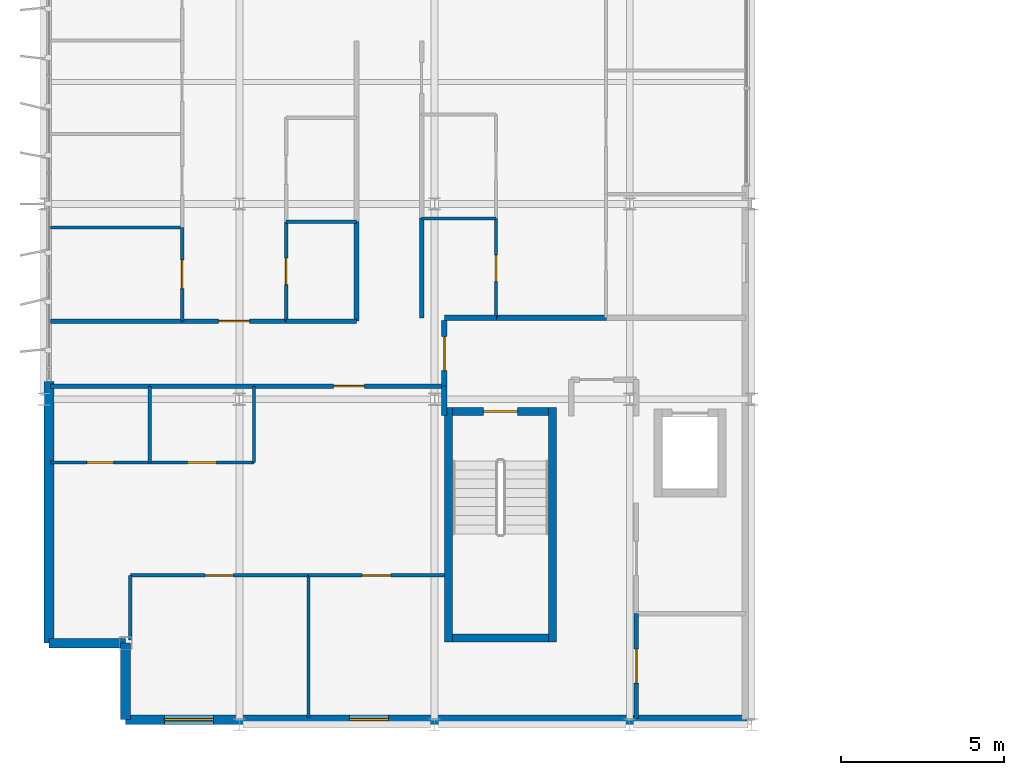
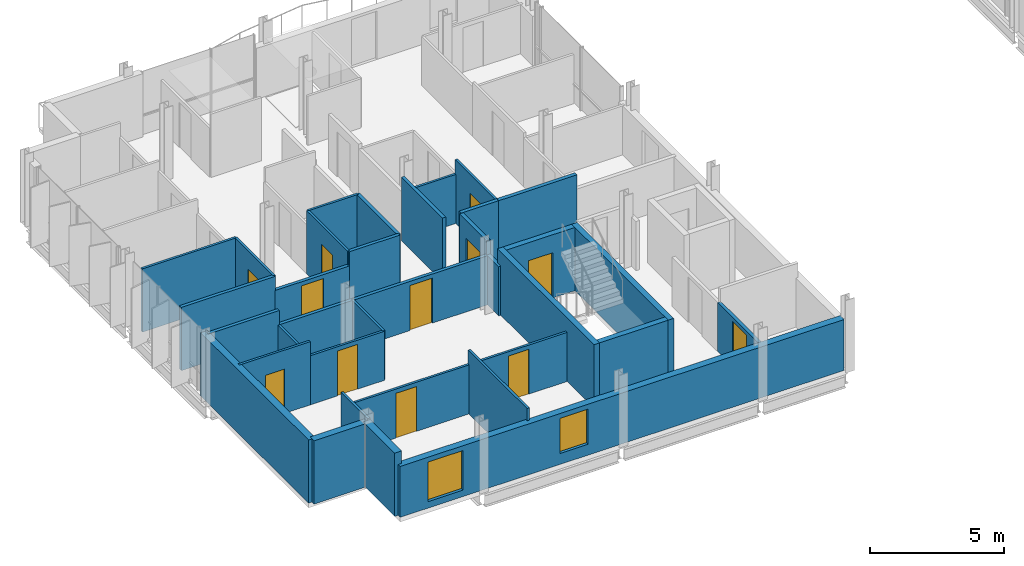
# One storey, part 22 of 30: 35 walls, 12 doors, 2 windows, 14 openings.
"""IFC4 building model written with IfcOpenShell, lengths in metres."""

from ifc_helpers import new_model, si_unit, direction, frame, frame_2d, origin, place, context, subcontext, project, spatial, rectangle, extrude, material, layer, layer_set, type_object, element, fill, save


model = new_model("IFC4")

# Units and contexts
model_context = context("Model", 3, precision=1e-05, world=origin(), true_north=direction((0.0, 1.0)))
body_context = subcontext(model_context, "Body", "Model", "MODEL_VIEW")
ifc_project = project(units=[si_unit("LENGTHUNIT", "METRE"), si_unit("AREAUNIT", "SQUARE_METRE"), si_unit("VOLUMEUNIT", "CUBIC_METRE"), si_unit("PLANEANGLEUNIT", "RADIAN"), si_unit("MASSUNIT", "GRAM", prefix="KILO")], contexts=[model_context])

# Site, building, storey
site_placement = place(None, origin())
site = spatial("IfcSite", under=ifc_project, at=site_placement, CompositionType="ELEMENT")
building_placement = place(site_placement, origin())
building = spatial("IfcBuilding", under=site, at=building_placement, Name="Brevholm Reach", CompositionType="ELEMENT")
storey_placement = place(building_placement, frame((0.0, 0.0, 211.10009765625)))
storey = spatial("IfcBuildingStorey", under=building, at=storey_placement, Name="L64", CompositionType="ELEMENT", Elevation=211.10009765625)

# Walls
ifc_material_1 = material(Name="Concrete C45/55", Category="concrete")
ifc_layer_1 = layer(ifc_material_1, 0.239990234375)
ifc_layer_set_1 = layer_set([ifc_layer_1], Name="Concrete C45/55")
wall_type_1 = type_object("IfcWallType", Name="WAL-COR-240", PredefinedType="SHEAR", material=ifc_layer_set_1)
for number, where, z_axis, x_axis, name in (
    (1, (12.429931640625, 2.5400390625, 0.0), (0.0, 0.0, 1.0), (0.0, 1.0, 0.0), "L64 Escape Stair ST-1 Core Wall W"),
    (2, (15.6201171875, 2.5400390625, 0.0), (0.0, 0.0, 1.0), (0.0, 1.0, 0.0), "L64 Escape Stair ST-1 Core Wall E"),
):
    element("IfcWall", number, at=place(storey_placement, frame(where, z_axis=z_axis, x_axis=x_axis)), inside=storey, type_object=wall_type_1, Name=name, PredefinedType="SHEAR", context=body_context, shape_type="SweptSolid", body=[
        extrude(rectangle(XDim=7.199951171875, YDim=0.239990234375, at=frame_2d((3.60009765625, 0.0))), origin(), (0.0, 0.0, 1.0), 2.8798828125),
    ])
wall_1_placement = place(storey_placement, frame((12.550048828125, 2.659912109375, 0.0), z_axis=(0.0, 0.0, 1.0), x_axis=(1.0, 0.0, 0.0)))
element("IfcWall", 3, at=wall_1_placement, inside=storey, type_object=wall_type_1, Name="L64 Escape Stair ST-1 Core Wall S", PredefinedType="SHEAR", context=body_context, shape_type="SweptSolid", body=[
    extrude(rectangle(XDim=2.949951171875, YDim=0.239990234375, at=frame_2d((1.47509765625, 0.0))), origin(), (0.0, 0.0, 1.0), 2.8798828125),
])

# Wall, opening, door
wall_2_placement = place(storey_placement, frame((15.5, 9.6201171875, 0.0), z_axis=(0.0, 0.0, 1.0), x_axis=(-1.0, 0.0, 0.0)))
wall_2 = element("IfcWall", 4, at=wall_2_placement, inside=storey, type_object=wall_type_1, Name="L64 Escape Stair ST-1 Core Wall N", PredefinedType="SHEAR", context=body_context, shape_type="SweptSolid", body=[
    extrude(rectangle(XDim=2.949951171875, YDim=0.239990234375, at=frame_2d((1.47509765625, 0.0))), origin(), (0.0, 0.0, 1.0), 2.8798828125),
])
opening_1_placement = place(wall_2_placement, frame((0.949951171875, 0.0, 0.0)))
opening_1 = element("IfcOpeningElement", 5, at=opening_1_placement, cuts=wall_2, Name="Opening SD-ST-1", PredefinedType="OPENING", context=body_context, shape_type="SweptSolid", body=[
    extrude(rectangle(XDim=1.050048828125, YDim=2.06005859375, at=frame_2d((0.52490234375, 1.030029296875))), frame((0.0, 0.1298828125, 0.0), z_axis=(0.0, -1.0, 0.0), x_axis=(1.0, 0.0, 0.0)), (0.0, 0.0, 1.0), 0.260009765625),
])
ifc_material_2 = material(Name="Hardwood-Lipped Steel-Core Fire and Smoke Door", Category="steel")
door_type_1 = type_object("IfcDoorType", Name="DOR-INT-FD60S", OperationType="NOTDEFINED", PredefinedType="DOOR", material=ifc_material_2)
door_1_placement = place(opening_1_placement, origin())
door_1 = element("IfcDoor", 6, at=door_1_placement, inside=storey, type_object=door_type_1, Name="L64 Protected Stair ST-1 Lobby Door", OperationType="SINGLE_SWING_RIGHT", OverallHeight=2.06005859375, OverallWidth=1.050048828125, PredefinedType="DOOR", context=body_context, shape_type="SweptSolid", body=[
    extrude(rectangle(XDim=1.050048828125, YDim=2.06005859375, at=frame_2d((0.52490234375, 1.030029296875))), frame((0.0, 0.02490234375, 0.0), z_axis=(0.0, -1.0, 0.0), x_axis=(1.0, 0.0, 0.0)), (0.0, 0.0, 1.0), 0.050048828125),
])
fill(opening_1, door_1)

# Walls
ifc_material_3 = material(Name="Concrete C40/50", Category="concrete")
ifc_layer_2 = layer(ifc_material_3, 0.300048828125)
ifc_layer_set_2 = layer_set([ifc_layer_2], Name="Concrete C40/50")
wall_type_2 = type_object("IfcWallType", Name="WAL-EXT-300", PredefinedType="STANDARD", material=ifc_layer_set_2)
for number, where, z_axis, x_axis, name in (
    (7, (2.5, 2.5, 0.0), (0.0, 0.0, 1.0), (0.0, -1.0, 0.0), "L64 Facade Wall WAL-L64-WW-CSW1"),
    (8, (0.14990234375, 2.5, 0.0), (0.0, 0.0, 1.0), (1.0, 0.0, 0.0), "L64 Facade Wall WAL-L64-WW-CSW2"),
):
    element("IfcWall", number, at=place(storey_placement, frame(where, z_axis=z_axis, x_axis=x_axis)), inside=storey, type_object=wall_type_2, Name=name, PredefinedType="STANDARD", context=body_context, shape_type="SweptSolid", body=[
        extrude(rectangle(XDim=2.35009765625, YDim=0.300048828125, at=frame_2d((1.175048828125, 0.0))), origin(), (0.0, 0.0, 1.0), 2.8798828125),
    ])

# Wall, openings, windows
wall_3_placement = place(storey_placement, frame((2.5, 0.14990234375, 0.0), z_axis=(0.0, 0.0, 1.0), x_axis=(1.0, 0.0, 0.0)))
wall_3 = element("IfcWall", 9, at=wall_3_placement, inside=storey, type_object=wall_type_2, Name="L64 Facade Wall WAL-L64-WW-S", PredefinedType="STANDARD", context=body_context, shape_type="SweptSolid", body=[
    extrude(rectangle(XDim=19.10009765625, YDim=0.300048828125, at=frame_2d((9.550048828125, 0.0))), origin(), (0.0, 0.0, 1.0), 2.3154296875),
])
opening_2_placement = place(wall_3_placement, frame((1.199951171875, 0.0, 0.2958984375)))
opening_2 = element("IfcOpeningElement", 10, at=opening_2_placement, cuts=wall_3, Name="Opening WN-05", PredefinedType="OPENING", context=body_context, shape_type="SweptSolid", body=[
    extrude(rectangle(XDim=1.5, YDim=1.800048828125, at=frame_2d((0.75, 0.89990234375))), frame((0.0, 0.159912109375, 0.0), z_axis=(0.0, -1.0, 0.0), x_axis=(1.0, 0.0, 0.0)), (0.0, 0.0, 1.0), 0.320068359375),
])
opening_3_placement = place(wall_3_placement, frame((6.8837890625, 0.0, 0.49560546875)))
opening_3 = element("IfcOpeningElement", 11, at=opening_3_placement, cuts=wall_3, Name="Opening WN-08", PredefinedType="OPENING", context=body_context, shape_type="SweptSolid", body=[
    extrude(rectangle(XDim=1.199951171875, YDim=1.60009765625, at=frame_2d((0.60009765625, 0.800048828125))), frame((0.0, 0.159912109375, 0.0), z_axis=(0.0, -1.0, 0.0), x_axis=(1.0, 0.0, 0.0)), (0.0, 0.0, 1.0), 0.320068359375),
])
ifc_material_4 = material(Name="Dark Anodised Aluminium and Solar-Control IGU Glass", Category="aluminium")
window_type_1 = type_object("IfcWindowType", Name="WIN-RES-1200", PartitioningType="SINGLE_PANEL", PredefinedType="WINDOW", material=ifc_material_4)
window_1_placement = place(opening_3_placement, origin())
window_1 = element("IfcWindow", 12, at=window_1_placement, inside=storey, type_object=window_type_1, Name="L64 Bedroom Window 066", OverallHeight=1.60009765625, OverallWidth=1.199951171875, PartitioningType="SINGLE_PANEL", PredefinedType="WINDOW", context=body_context, shape_type="SweptSolid", body=[
    extrude(rectangle(XDim=1.199951171875, YDim=1.60009765625, at=frame_2d((0.60009765625, 0.800048828125))), frame((0.0, 0.030029296875, 0.0), z_axis=(0.0, -1.0, 0.0), x_axis=(1.0, 0.0, 0.0)), (0.0, 0.0, 1.0), 0.06005859375),
])
fill(opening_3, window_1)
ifc_material_5 = material(Name="Dark Anodised Aluminium and Solar-Control IGU Glass", Category="aluminium")
window_type_2 = type_object("IfcWindowType", Name="WIN-RES-1500", PartitioningType="SINGLE_PANEL", PredefinedType="WINDOW", material=ifc_material_5)
window_2_placement = place(opening_2_placement, origin())
window_2 = element("IfcWindow", 13, at=window_2_placement, inside=storey, type_object=window_type_2, Name="L64 Window WIN-L64-WWS-1", OverallHeight=1.800048828125, OverallWidth=1.5, PartitioningType="SINGLE_PANEL", PredefinedType="WINDOW", context=body_context, shape_type="SweptSolid", body=[
    extrude(rectangle(XDim=1.5, YDim=1.800048828125, at=frame_2d((0.75, 0.89990234375))), frame((0.0, 0.030029296875, 0.0), z_axis=(0.0, -1.0, 0.0), x_axis=(1.0, 0.0, 0.0)), (0.0, 0.0, 1.0), 0.06005859375),
])
fill(opening_2, window_2)

# Walls
wall_4_placement = place(storey_placement, frame((0.14990234375, 10.550048828125, 0.0), z_axis=(0.0, 0.0, 1.0), x_axis=(0.0, -1.0, 0.0)))
element("IfcWall", 14, at=wall_4_placement, inside=storey, type_object=wall_type_2, Name="L64 Facade Wall WAL-L64-WW-WS", PredefinedType="STANDARD", context=body_context, shape_type="SweptSolid", body=[
    extrude(rectangle(XDim=8.050048828125, YDim=0.300048828125, at=frame_2d((4.02490234375, 0.0))), origin(), (0.0, 0.0, 1.0), 2.8798828125),
])
ifc_material_6 = material(Name="Moisture-Resistant Acoustic Gypsum Stud Partition 100 mm", Category="gypsum")
ifc_layer_3 = layer(ifc_material_6, 0.10009765625)
ifc_layer_set_3 = layer_set([ifc_layer_3], Name="Moisture-Resistant Acoustic Gypsum Stud Partition 100 mm")
wall_type_3 = type_object("IfcWallType", Name="WAL-PRT-100", PredefinedType="PARTITIONING", material=ifc_layer_set_3)
wall_5_placement = place(storey_placement, frame((3.25, 8.053955078125, 0.0), z_axis=(0.0, 0.0, 1.0), x_axis=(0.0, 1.0, 0.0)))
element("IfcWall", 15, at=wall_5_placement, inside=storey, type_object=wall_type_3, Name="L64 Internal Partition 039", PredefinedType="PARTITIONING", context=body_context, shape_type="SweptSolid", body=[
    extrude(rectangle(XDim=2.342041015625, YDim=0.10009765625, at=frame_2d((1.1708984375, 0.0))), origin(), (0.0, 0.0, 1.0), 2.234619140625),
])

# Wall, opening, door
wall_6_placement = place(storey_placement, frame((0.199951171875, 8.053955078125, 0.0), z_axis=(0.0, 0.0, 1.0), x_axis=(1.0, 0.0, 0.0)))
wall_6 = element("IfcWall", 16, at=wall_6_placement, inside=storey, type_object=wall_type_3, Name="L64 Internal Partition 040", PredefinedType="PARTITIONING", context=body_context, shape_type="SweptSolid", body=[
    extrude(rectangle(XDim=3.050048828125, YDim=0.10009765625, at=frame_2d((1.52490234375, 0.0))), origin(), (0.0, 0.0, 1.0), 2.8798828125),
])
opening_4_placement = place(wall_6_placement, frame((1.114990234375, 0.0, 0.0)))
opening_4 = element("IfcOpeningElement", 17, at=opening_4_placement, cuts=wall_6, Name="Opening ID-03", PredefinedType="OPENING", context=body_context, shape_type="SweptSolid", body=[
    extrude(rectangle(XDim=0.820068359375, YDim=2.02001953125, at=frame_2d((0.41015625, 1.010009765625))), frame((0.0, 0.06005859375, 0.0), z_axis=(0.0, -1.0, 0.0), x_axis=(1.0, 0.0, 0.0)), (0.0, 0.0, 1.0), 0.1201171875),
])
ifc_material_7 = material(Name="Moisture-Resistant Painted Timber Internal Bathroom Door", Category="wood")
door_type_2 = type_object("IfcDoorType", Name="DOR-BATH-820", OperationType="NOTDEFINED", PredefinedType="DOOR", material=ifc_material_7)
door_2_placement = place(opening_4_placement, origin())
door_2 = element("IfcDoor", 18, at=door_2_placement, inside=storey, type_object=door_type_2, Name="L64 Internal Door 016", OperationType="SINGLE_SWING_LEFT", OverallHeight=2.02001953125, OverallWidth=0.820068359375, PredefinedType="DOOR", context=body_context, shape_type="SweptSolid", body=[
    extrude(rectangle(XDim=0.820068359375, YDim=2.02001953125, at=frame_2d((0.41015625, 1.010009765625))), frame((0.0, 0.02490234375, 0.0), z_axis=(0.0, -1.0, 0.0), x_axis=(1.0, 0.0, 0.0)), (0.0, 0.0, 1.0), 0.050048828125),
])
fill(opening_4, door_2)

wall_7_placement = place(storey_placement, frame((3.25390625, 8.053955078125, 0.0), z_axis=(0.0, 0.0, 1.0), x_axis=(1.0, 0.0, 0.0)))
wall_7 = element("IfcWall", 19, at=wall_7_placement, inside=storey, type_object=wall_type_3, Name="L64 Internal Partition 041", PredefinedType="PARTITIONING", context=body_context, shape_type="SweptSolid", body=[
    extrude(rectangle(XDim=3.196044921875, YDim=0.10009765625, at=frame_2d((1.59814453125, 0.0))), origin(), (0.0, 0.0, 1.0), 2.234619140625),
])
opening_5_placement = place(wall_7_placement, frame((1.157958984375, 0.0, 0.0)))
opening_5 = element("IfcOpeningElement", 20, at=opening_5_placement, cuts=wall_7, Name="Opening ID-01", PredefinedType="OPENING", context=body_context, shape_type="SweptSolid", body=[
    extrude(rectangle(XDim=0.8798828125, YDim=2.0400390625, at=frame_2d((0.43994140625, 1.02001953125))), frame((0.0, 0.06005859375, 0.0), z_axis=(0.0, -1.0, 0.0), x_axis=(1.0, 0.0, 0.0)), (0.0, 0.0, 1.0), 0.1201171875),
])
ifc_material_8 = material(Name="Lacquered Ash Solid-Core Acoustic Internal Door", Category="timber")
door_type_3 = type_object("IfcDoorType", Name="DOR-INT-880", OperationType="NOTDEFINED", PredefinedType="DOOR", material=ifc_material_8)
door_3_placement = place(opening_5_placement, origin())
door_3 = element("IfcDoor", 21, at=door_3_placement, inside=storey, type_object=door_type_3, Name="L64 Internal Door 017", OperationType="SINGLE_SWING_RIGHT", OverallHeight=2.0400390625, OverallWidth=0.8798828125, PredefinedType="DOOR", context=body_context, shape_type="SweptSolid", body=[
    extrude(rectangle(XDim=0.8798828125, YDim=2.0400390625, at=frame_2d((0.43994140625, 1.02001953125))), frame((0.0, 0.02490234375, 0.0), z_axis=(0.0, -1.0, 0.0), x_axis=(1.0, 0.0, 0.0)), (0.0, 0.0, 1.0), 0.050048828125),
])
fill(opening_5, door_3)

# Walls
wall_8_placement = place(storey_placement, frame((6.449951171875, 8.053955078125, 0.0), z_axis=(0.0, 0.0, 1.0), x_axis=(0.0, 1.0, 0.0)))
element("IfcWall", 22, at=wall_8_placement, inside=storey, type_object=wall_type_3, Name="L64 Internal Partition 042", PredefinedType="PARTITIONING", context=body_context, shape_type="SweptSolid", body=[
    extrude(rectangle(XDim=2.342041015625, YDim=0.10009765625, at=frame_2d((1.1708984375, 0.0))), origin(), (0.0, 0.0, 1.0), 2.234619140625),
])
wall_9_placement = place(storey_placement, frame((8.125, 0.199951171875, 0.0), z_axis=(0.0, 0.0, 1.0), x_axis=(0.0, 1.0, 0.0)))
element("IfcWall", 23, at=wall_9_placement, inside=storey, type_object=wall_type_3, Name="L64 Internal Partition 043", PredefinedType="PARTITIONING", context=body_context, shape_type="SweptSolid", body=[
    extrude(rectangle(XDim=4.385986328125, YDim=0.10009765625, at=frame_2d((2.19287109375, 0.0))), origin(), (0.0, 0.0, 1.0), 2.8798828125),
])
wall_10_placement = place(storey_placement, frame((2.64990234375, 2.599365234375, 0.0), z_axis=(0.0, 0.0, 1.0), x_axis=(0.0, 1.0, 0.0)))
element("IfcWall", 24, at=wall_10_placement, inside=storey, type_object=wall_type_3, Name="L64 Internal Partition 044", PredefinedType="PARTITIONING", context=body_context, shape_type="SweptSolid", body=[
    extrude(rectangle(XDim=1.986572265625, YDim=0.10009765625, at=frame_2d((0.9931640625, 0.0))), origin(), (0.0, 0.0, 1.0), 2.8798828125),
])

# Wall, opening, door
wall_11_placement = place(storey_placement, frame((2.64990234375, 4.5859375, 0.0), z_axis=(0.0, 0.0, 1.0), x_axis=(1.0, 0.0, 0.0)))
wall_11 = element("IfcWall", 25, at=wall_11_placement, inside=storey, type_object=wall_type_3, Name="L64 Internal Partition 045", PredefinedType="PARTITIONING", context=body_context, shape_type="SweptSolid", body=[
    extrude(rectangle(XDim=5.47509765625, YDim=0.10009765625, at=frame_2d((2.737548828125, 0.0))), origin(), (0.0, 0.0, 1.0), 2.234619140625),
])
opening_6_placement = place(wall_11_placement, frame((2.297607421875, 0.0, 0.0)))
opening_6 = element("IfcOpeningElement", 26, at=opening_6_placement, cuts=wall_11, Name="Opening ID-01", PredefinedType="OPENING", context=body_context, shape_type="SweptSolid", body=[
    extrude(rectangle(XDim=0.8798828125, YDim=2.0400390625, at=frame_2d((0.43994140625, 1.02001953125))), frame((0.0, 0.06005859375, 0.0), z_axis=(0.0, -1.0, 0.0), x_axis=(1.0, 0.0, 0.0)), (0.0, 0.0, 1.0), 0.1201171875),
])
door_4_placement = place(opening_6_placement, origin())
door_4 = element("IfcDoor", 27, at=door_4_placement, inside=storey, type_object=door_type_3, Name="L64 Internal Door 018", OperationType="SINGLE_SWING_LEFT", OverallHeight=2.0400390625, OverallWidth=0.8798828125, PredefinedType="DOOR", context=body_context, shape_type="SweptSolid", body=[
    extrude(rectangle(XDim=0.8798828125, YDim=2.0400390625, at=frame_2d((0.43994140625, 1.02001953125))), frame((0.0, 0.02490234375, 0.0), z_axis=(0.0, -1.0, 0.0), x_axis=(1.0, 0.0, 0.0)), (0.0, 0.0, 1.0), 0.050048828125),
])
fill(opening_6, door_4)

wall_12_placement = place(storey_placement, frame((8.12890625, 4.5859375, 0.0), z_axis=(0.0, 0.0, 1.0), x_axis=(1.0, 0.0, 0.0)))
wall_12 = element("IfcWall", 28, at=wall_12_placement, inside=storey, type_object=wall_type_3, Name="L64 Internal Partition 046", PredefinedType="PARTITIONING", context=body_context, shape_type="SweptSolid", body=[
    extrude(rectangle(XDim=4.171142578125, YDim=0.10009765625, at=frame_2d((2.08544921875, 0.0))), origin(), (0.0, 0.0, 1.0), 2.234619140625),
])
opening_7_placement = place(wall_12_placement, frame((1.6455078125, 0.0, 0.0)))
opening_7 = element("IfcOpeningElement", 29, at=opening_7_placement, cuts=wall_12, Name="Opening ID-01", PredefinedType="OPENING", context=body_context, shape_type="SweptSolid", body=[
    extrude(rectangle(XDim=0.8798828125, YDim=2.0400390625, at=frame_2d((0.43994140625, 1.02001953125))), frame((0.0, 0.06005859375, 0.0), z_axis=(0.0, -1.0, 0.0), x_axis=(1.0, 0.0, 0.0)), (0.0, 0.0, 1.0), 0.1201171875),
])
door_5_placement = place(opening_7_placement, origin())
door_5 = element("IfcDoor", 30, at=door_5_placement, inside=storey, type_object=door_type_3, Name="L64 Internal Door 019", OperationType="SINGLE_SWING_RIGHT", OverallHeight=2.0400390625, OverallWidth=0.8798828125, PredefinedType="DOOR", context=body_context, shape_type="SweptSolid", body=[
    extrude(rectangle(XDim=0.8798828125, YDim=2.0400390625, at=frame_2d((0.43994140625, 1.02001953125))), frame((0.0, 0.02490234375, 0.0), z_axis=(0.0, -1.0, 0.0), x_axis=(1.0, 0.0, 0.0)), (0.0, 0.0, 1.0), 0.050048828125),
])
fill(opening_7, door_5)

# Wall
wall_13_placement = place(storey_placement, frame((7.43798828125, 15.449951171875, 0.0), z_axis=(0.0, 0.0, 1.0), x_axis=(1.0, 0.0, 0.0)))
element("IfcWall", 31, at=wall_13_placement, inside=storey, type_object=wall_type_3, Name="L64 Internal Partition 047", PredefinedType="PARTITIONING", context=body_context, shape_type="SweptSolid", body=[
    extrude(rectangle(XDim=2.157958984375, YDim=0.10009765625, at=frame_2d((1.0791015625, 0.0))), origin(), (0.0, 0.0, 1.0), 2.8798828125),
])

# Wall, opening, door
wall_14_placement = place(storey_placement, frame((7.43798828125, 12.404052734375, 0.0), z_axis=(0.0, 0.0, 1.0), x_axis=(0.0, 1.0, 0.0)))
wall_14 = element("IfcWall", 32, at=wall_14_placement, inside=storey, type_object=wall_type_3, Name="L64 Internal Partition 048", PredefinedType="PARTITIONING", context=body_context, shape_type="SweptSolid", body=[
    extrude(rectangle(XDim=3.0458984375, YDim=0.10009765625, at=frame_2d((1.52294921875, 0.0))), origin(), (0.0, 0.0, 1.0), 2.8798828125),
])
opening_8_placement = place(wall_14_placement, frame((1.113037109375, 0.0, 0.0)))
opening_8 = element("IfcOpeningElement", 33, at=opening_8_placement, cuts=wall_14, Name="Opening ID-03", PredefinedType="OPENING", context=body_context, shape_type="SweptSolid", body=[
    extrude(rectangle(XDim=0.820068359375, YDim=2.02001953125, at=frame_2d((0.41015625, 1.010009765625))), frame((0.0, 0.06005859375, 0.0), z_axis=(0.0, -1.0, 0.0), x_axis=(1.0, 0.0, 0.0)), (0.0, 0.0, 1.0), 0.1201171875),
])
door_6_placement = place(opening_8_placement, origin())
door_6 = element("IfcDoor", 34, at=door_6_placement, inside=storey, type_object=door_type_2, Name="L64 Internal Door 020", OperationType="SINGLE_SWING_LEFT", OverallHeight=2.02001953125, OverallWidth=0.820068359375, PredefinedType="DOOR", context=body_context, shape_type="SweptSolid", body=[
    extrude(rectangle(XDim=0.820068359375, YDim=2.02001953125, at=frame_2d((0.41015625, 1.010009765625))), frame((0.0, 0.02490234375, 0.0), z_axis=(0.0, -1.0, 0.0), x_axis=(1.0, 0.0, 0.0)), (0.0, 0.0, 1.0), 0.050048828125),
])
fill(opening_8, door_6)

# Wall
wall_15_placement = place(storey_placement, frame((0.199951171875, 15.27490234375, 0.0), z_axis=(0.0, 0.0, 1.0), x_axis=(1.0, 0.0, 0.0)))
element("IfcWall", 35, at=wall_15_placement, inside=storey, type_object=wall_type_3, Name="L64 Internal Partition 053", PredefinedType="PARTITIONING", context=body_context, shape_type="SweptSolid", body=[
    extrude(rectangle(XDim=4.0419921875, YDim=0.10009765625, at=frame_2d((2.02099609375, 0.0))), origin(), (0.0, 0.0, 1.0), 2.8798828125),
])

# Wall, opening, door
wall_16_placement = place(storey_placement, frame((4.241943359375, 12.404052734375, 0.0), z_axis=(0.0, 0.0, 1.0), x_axis=(0.0, 1.0, 0.0)))
wall_16 = element("IfcWall", 36, at=wall_16_placement, inside=storey, type_object=wall_type_3, Name="L64 Internal Partition 054", PredefinedType="PARTITIONING", context=body_context, shape_type="SweptSolid", body=[
    extrude(rectangle(XDim=2.870849609375, YDim=0.10009765625, at=frame_2d((1.435546875, 0.0))), origin(), (0.0, 0.0, 1.0), 2.8798828125),
])
opening_9_placement = place(wall_16_placement, frame((0.99560546875, 0.0, 0.0)))
opening_9 = element("IfcOpeningElement", 37, at=opening_9_placement, cuts=wall_16, Name="Opening ID-01", PredefinedType="OPENING", context=body_context, shape_type="SweptSolid", body=[
    extrude(rectangle(XDim=0.8798828125, YDim=2.0400390625, at=frame_2d((0.43994140625, 1.02001953125))), frame((0.0, 0.06005859375, 0.0), z_axis=(0.0, -1.0, 0.0), x_axis=(1.0, 0.0, 0.0)), (0.0, 0.0, 1.0), 0.1201171875),
])
door_7_placement = place(opening_9_placement, origin())
door_7 = element("IfcDoor", 38, at=door_7_placement, inside=storey, type_object=door_type_3, Name="L64 Internal Door 023", OperationType="SINGLE_SWING_RIGHT", OverallHeight=2.0400390625, OverallWidth=0.8798828125, PredefinedType="DOOR", context=body_context, shape_type="SweptSolid", body=[
    extrude(rectangle(XDim=0.8798828125, YDim=2.0400390625, at=frame_2d((0.43994140625, 1.02001953125))), frame((0.0, 0.02490234375, 0.0), z_axis=(0.0, -1.0, 0.0), x_axis=(1.0, 0.0, 0.0)), (0.0, 0.0, 1.0), 0.050048828125),
])
fill(opening_9, door_7)

# Wall
wall_17_placement = place(storey_placement, frame((11.60400390625, 15.550048828125, 0.0), z_axis=(0.0, 0.0, 1.0), x_axis=(1.0, 0.0, 0.0)))
element("IfcWall", 39, at=wall_17_placement, inside=storey, type_object=wall_type_3, Name="L64 Internal Partition 061", PredefinedType="PARTITIONING", context=body_context, shape_type="SweptSolid", body=[
    extrude(rectangle(XDim=2.284912109375, YDim=0.10009765625, at=frame_2d((1.142578125, 0.0))), origin(), (0.0, 0.0, 1.0), 2.234619140625),
])

# Wall, opening, door
wall_18_placement = place(storey_placement, frame((13.888916015625, 12.50390625, 0.0), z_axis=(0.0, 0.0, 1.0), x_axis=(0.0, 1.0, 0.0)))
wall_18 = element("IfcWall", 40, at=wall_18_placement, inside=storey, type_object=wall_type_3, Name="L64 Internal Partition 062", PredefinedType="PARTITIONING", context=body_context, shape_type="SweptSolid", body=[
    extrude(rectangle(XDim=3.046142578125, YDim=0.10009765625, at=frame_2d((1.52294921875, 0.0))), origin(), (0.0, 0.0, 1.0), 2.8798828125),
])
opening_10_placement = place(wall_18_placement, frame((1.113037109375, 0.0, 0.0)))
opening_10 = element("IfcOpeningElement", 41, at=opening_10_placement, cuts=wall_18, Name="Opening ID-03", PredefinedType="OPENING", context=body_context, shape_type="SweptSolid", body=[
    extrude(rectangle(XDim=0.820068359375, YDim=2.02001953125, at=frame_2d((0.41015625, 1.010009765625))), frame((0.0, 0.06005859375, 0.0), z_axis=(0.0, -1.0, 0.0), x_axis=(1.0, 0.0, 0.0)), (0.0, 0.0, 1.0), 0.1201171875),
])
door_8_placement = place(opening_10_placement, origin())
door_8 = element("IfcDoor", 42, at=door_8_placement, inside=storey, type_object=door_type_2, Name="L64 Internal Door 027", OperationType="SINGLE_SWING_RIGHT", OverallHeight=2.02001953125, OverallWidth=0.820068359375, PredefinedType="DOOR", context=body_context, shape_type="SweptSolid", body=[
    extrude(rectangle(XDim=0.820068359375, YDim=2.02001953125, at=frame_2d((0.41015625, 1.010009765625))), frame((0.0, 0.02490234375, 0.0), z_axis=(0.0, -1.0, 0.0), x_axis=(1.0, 0.0, 0.0)), (0.0, 0.0, 1.0), 0.050048828125),
])
fill(opening_10, door_8)

ifc_material_9 = material(Name="Twin-Stud Acoustic Fire-Rated Gypsum Partition 140 mm", Category="gypsum")
ifc_layer_4 = layer(ifc_material_9, 0.139892578125)
ifc_layer_set_4 = layer_set([ifc_layer_4], Name="Twin-Stud Acoustic Fire-Rated Gypsum Partition 140 mm")
wall_type_4 = type_object("IfcWallType", Name="WAL-PRT-140", PredefinedType="PARTITIONING", material=ifc_layer_set_4)
wall_19_placement = place(storey_placement, frame((18.199951171875, 0.179931640625, 0.0), z_axis=(0.0, 0.0, 1.0), x_axis=(0.0, 1.0, 0.0)))
wall_19 = element("IfcWall", 43, at=wall_19_placement, inside=storey, type_object=wall_type_4, Name="L64 Internal Partition 001", PredefinedType="PARTITIONING", context=body_context, shape_type="SweptSolid", body=[
    extrude(rectangle(XDim=3.2314453125, YDim=0.139892578125, at=frame_2d((1.61572265625, 0.0))), origin(), (0.0, 0.0, 1.0), 2.234619140625),
])
opening_11_placement = place(wall_19_placement, frame((1.0908203125, 0.0, 0.0)))
opening_11 = element("IfcOpeningElement", 44, at=opening_11_placement, cuts=wall_19, Name="Opening FD-01", PredefinedType="OPENING", context=body_context, shape_type="SweptSolid", body=[
    extrude(rectangle(XDim=1.050048828125, YDim=2.06005859375, at=frame_2d((0.52490234375, 1.030029296875))), frame((0.0, 0.079833984375, 0.0), z_axis=(0.0, -1.0, 0.0), x_axis=(1.0, 0.0, 0.0)), (0.0, 0.0, 1.0), 0.159912109375),
])
door_9_placement = place(opening_11_placement, origin())
door_9 = element("IfcDoor", 45, at=door_9_placement, inside=storey, type_object=door_type_1, Name="L64 Internal Door 001", OperationType="SINGLE_SWING_RIGHT", OverallHeight=2.06005859375, OverallWidth=1.050048828125, PredefinedType="DOOR", context=body_context, shape_type="SweptSolid", body=[
    extrude(rectangle(XDim=1.050048828125, YDim=2.06005859375, at=frame_2d((0.52490234375, 1.030029296875))), frame((0.0, 0.02490234375, 0.0), z_axis=(0.0, -1.0, 0.0), x_axis=(1.0, 0.0, 0.0)), (0.0, 0.0, 1.0), 0.050048828125),
])
fill(opening_11, door_9)

# Walls
wall_20_placement = place(storey_placement, frame((0.199951171875, 10.39990234375, 0.0), z_axis=(0.0, 0.0, 1.0), x_axis=(1.0, 0.0, 0.0)))
element("IfcWall", 46, at=wall_20_placement, inside=storey, type_object=wall_type_4, Name="L64 Internal Partition 018", PredefinedType="PARTITIONING", context=body_context, shape_type="SweptSolid", body=[
    extrude(rectangle(XDim=3.061279296875, YDim=0.139892578125, at=frame_2d((1.53076171875, 0.0))), origin(), (0.0, 0.0, 1.0), 2.8798828125),
])
wall_21_placement = place(storey_placement, frame((3.24267578125, 10.39990234375, 0.0), z_axis=(0.0, 0.0, 1.0), x_axis=(1.0, 0.0, 0.0)))
element("IfcWall", 47, at=wall_21_placement, inside=storey, type_object=wall_type_4, Name="L64 Internal Partition 019", PredefinedType="PARTITIONING", context=body_context, shape_type="SweptSolid", body=[
    extrude(rectangle(XDim=3.218505859375, YDim=0.139892578125, at=frame_2d((1.609375, 0.0))), origin(), (0.0, 0.0, 1.0), 2.234619140625),
])

# Wall, opening, door
wall_22_placement = place(storey_placement, frame((6.442626953125, 10.39990234375, 0.0), z_axis=(0.0, 0.0, 1.0), x_axis=(1.0, 0.0, 0.0)))
wall_22 = element("IfcWall", 48, at=wall_22_placement, inside=storey, type_object=wall_type_4, Name="L64 Internal Partition 020", PredefinedType="PARTITIONING", context=body_context, shape_type="SweptSolid", body=[
    extrude(rectangle(XDim=5.853271484375, YDim=0.139892578125, at=frame_2d((2.9267578125, 0.0))), origin(), (0.0, 0.0, 1.0), 2.234619140625),
])
opening_12_placement = place(wall_22_placement, frame((2.45166015625, 0.0, 0.0)))
opening_12 = element("IfcOpeningElement", 49, at=opening_12_placement, cuts=wall_22, Name="Opening ID-30", PredefinedType="OPENING", context=body_context, shape_type="SweptSolid", body=[
    extrude(rectangle(XDim=0.949951171875, YDim=2.050048828125, at=frame_2d((0.47509765625, 1.02490234375))), frame((0.0, 0.079833984375, 0.0), z_axis=(0.0, -1.0, 0.0), x_axis=(1.0, 0.0, 0.0)), (0.0, 0.0, 1.0), 0.159912109375),
])
ifc_material_10 = material(Name="European Oak Veneered Solid-Core Fire Entrance Door", Category="timber")
door_type_4 = type_object("IfcDoorType", Name="DOR-FLT-FD30S", OperationType="NOTDEFINED", PredefinedType="DOOR", material=ifc_material_10)
door_10_placement = place(opening_12_placement, origin())
door_10 = element("IfcDoor", 50, at=door_10_placement, inside=storey, type_object=door_type_4, Name="L64 Internal Door 009", OperationType="SINGLE_SWING_RIGHT", OverallHeight=2.050048828125, OverallWidth=0.949951171875, PredefinedType="DOOR", context=body_context, shape_type="SweptSolid", body=[
    extrude(rectangle(XDim=0.949951171875, YDim=2.050048828125, at=frame_2d((0.47509765625, 1.02490234375))), frame((0.0, 0.02490234375, 0.0), z_axis=(0.0, -1.0, 0.0), x_axis=(1.0, 0.0, 0.0)), (0.0, 0.0, 1.0), 0.050048828125),
])
fill(opening_12, door_10)

# Walls
wall_23_placement = place(storey_placement, frame((7.4267578125, 12.39990234375, 0.0), z_axis=(0.0, 0.0, 1.0), x_axis=(1.0, 0.0, 0.0)))
element("IfcWall", 51, at=wall_23_placement, inside=storey, type_object=wall_type_4, Name="L64 Internal Partition 021", PredefinedType="PARTITIONING", context=body_context, shape_type="SweptSolid", body=[
    extrude(rectangle(XDim=2.1806640625, YDim=0.139892578125, at=frame_2d((1.09033203125, 0.0))), origin(), (0.0, 0.0, 1.0), 2.8798828125),
])
wall_24_placement = place(storey_placement, frame((0.199951171875, 12.39990234375, 0.0), z_axis=(0.0, 0.0, 1.0), x_axis=(1.0, 0.0, 0.0)))
element("IfcWall", 52, at=wall_24_placement, inside=storey, type_object=wall_type_4, Name="L64 Internal Partition 022", PredefinedType="PARTITIONING", context=body_context, shape_type="SweptSolid", body=[
    extrude(rectangle(XDim=4.053466796875, YDim=0.139892578125, at=frame_2d((2.02685546875, 0.0))), origin(), (0.0, 0.0, 1.0), 2.8798828125),
])

# Wall, opening, door
wall_25_placement = place(storey_placement, frame((4.234619140625, 12.39990234375, 0.0), z_axis=(0.0, 0.0, 1.0), x_axis=(1.0, 0.0, 0.0)))
wall_25 = element("IfcWall", 53, at=wall_25_placement, inside=storey, type_object=wall_type_4, Name="L64 Internal Partition 023", PredefinedType="PARTITIONING", context=body_context, shape_type="SweptSolid", body=[
    extrude(rectangle(XDim=3.210693359375, YDim=0.139892578125, at=frame_2d((1.60546875, 0.0))), origin(), (0.0, 0.0, 1.0), 2.234619140625),
])
opening_13_placement = place(wall_25_placement, frame((1.13037109375, 0.0, 0.0)))
opening_13 = element("IfcOpeningElement", 54, at=opening_13_placement, cuts=wall_25, Name="Opening ID-30", PredefinedType="OPENING", context=body_context, shape_type="SweptSolid", body=[
    extrude(rectangle(XDim=0.949951171875, YDim=2.050048828125, at=frame_2d((0.47509765625, 1.02490234375))), frame((0.0, 0.079833984375, 0.0), z_axis=(0.0, -1.0, 0.0), x_axis=(1.0, 0.0, 0.0)), (0.0, 0.0, 1.0), 0.159912109375),
])
door_11_placement = place(opening_13_placement, origin())
door_11 = element("IfcDoor", 55, at=door_11_placement, inside=storey, type_object=door_type_4, Name="L64 Internal Door 010", OperationType="SINGLE_SWING_LEFT", OverallHeight=2.050048828125, OverallWidth=0.949951171875, PredefinedType="DOOR", context=body_context, shape_type="SweptSolid", body=[
    extrude(rectangle(XDim=0.949951171875, YDim=2.050048828125, at=frame_2d((0.47509765625, 1.02490234375))), frame((0.0, 0.02490234375, 0.0), z_axis=(0.0, -1.0, 0.0), x_axis=(1.0, 0.0, 0.0)), (0.0, 0.0, 1.0), 0.050048828125),
])
fill(opening_13, door_11)

# Walls
wall_26_placement = place(storey_placement, frame((9.60009765625, 12.404052734375, 0.0), z_axis=(0.0, 0.0, 1.0), x_axis=(0.0, 1.0, 0.0)))
element("IfcWall", 56, at=wall_26_placement, inside=storey, type_object=wall_type_4, Name="L64 Internal Partition 024", PredefinedType="PARTITIONING", context=body_context, shape_type="SweptSolid", body=[
    extrude(rectangle(XDim=3.05712890625, YDim=0.139892578125, at=frame_2d((1.528564453125, 0.0))), origin(), (0.0, 0.0, 1.0), 2.8798828125),
])
wall_27_placement = place(storey_placement, frame((11.60009765625, 12.48876953125, 0.0), z_axis=(0.0, 0.0, 1.0), x_axis=(0.0, 1.0, 0.0)))
element("IfcWall", 57, at=wall_27_placement, inside=storey, type_object=wall_type_4, Name="L64 Internal Partition 027", PredefinedType="PARTITIONING", context=body_context, shape_type="SweptSolid", body=[
    extrude(rectangle(XDim=3.072509765625, YDim=0.139892578125, at=frame_2d((1.5361328125, 0.0))), origin(), (0.0, 0.0, 1.0), 2.8798828125),
])

# Wall, opening, door
ifc_material_11 = material(Name="Twin-Frame Fire-Rated Gypsum Board and Mineral Wool 160 mm", Category="gypsum")
ifc_layer_5 = layer(ifc_material_11, 0.159912109375)
ifc_layer_set_5 = layer_set([ifc_layer_5], Name="Twin-Frame Fire-Rated Gypsum Board and Mineral Wool 160 mm")
wall_type_5 = type_object("IfcWallType", Name="WAL-PRT-160", PredefinedType="PARTITIONING", material=ifc_layer_set_5)
wall_28_placement = place(storey_placement, frame((12.300048828125, 10.388671875, 0.0), z_axis=(0.0, 0.0, 1.0), x_axis=(0.0, 1.0, 0.0)))
wall_28 = element("IfcWall", 58, at=wall_28_placement, inside=storey, type_object=wall_type_5, Name="L64 Internal Partition 013", PredefinedType="PARTITIONING", context=body_context, shape_type="SweptSolid", body=[
    extrude(rectangle(XDim=2.022705078125, YDim=0.159912109375, at=frame_2d((1.01123046875, 0.0))), origin(), (0.0, 0.0, 1.0), 2.8798828125),
])
opening_14_placement = place(wall_28_placement, frame((0.486328125, 0.0, 0.0)))
opening_14 = element("IfcOpeningElement", 59, at=opening_14_placement, cuts=wall_28, Name="Opening FD-01", PredefinedType="OPENING", context=body_context, shape_type="SweptSolid", body=[
    extrude(rectangle(XDim=1.050048828125, YDim=2.06005859375, at=frame_2d((0.52490234375, 1.030029296875))), frame((0.0, 0.08984375, 0.0), z_axis=(0.0, -1.0, 0.0), x_axis=(1.0, 0.0, 0.0)), (0.0, 0.0, 1.0), 0.179931640625),
])
door_12_placement = place(opening_14_placement, origin())
door_12 = element("IfcDoor", 60, at=door_12_placement, inside=storey, type_object=door_type_1, Name="L64 Internal Door 008", OperationType="SINGLE_SWING_LEFT", OverallHeight=2.06005859375, OverallWidth=1.050048828125, PredefinedType="DOOR", context=body_context, shape_type="SweptSolid", body=[
    extrude(rectangle(XDim=1.050048828125, YDim=2.06005859375, at=frame_2d((0.52490234375, 1.030029296875))), frame((0.0, 0.02490234375, 0.0), z_axis=(0.0, -1.0, 0.0), x_axis=(1.0, 0.0, 0.0)), (0.0, 0.0, 1.0), 0.050048828125),
])
fill(opening_14, door_12)

# Walls
wall_29_placement = place(storey_placement, frame((12.300048828125, 9.5, 0.0), z_axis=(0.0, 0.0, 1.0), x_axis=(0.0, 1.0, 0.0)))
element("IfcWall", 61, at=wall_29_placement, inside=storey, type_object=wall_type_5, Name="L64 Internal Partition 014", PredefinedType="PARTITIONING", context=body_context, shape_type="SweptSolid", body=[
    extrude(rectangle(XDim=0.9072265625, YDim=0.159912109375, at=frame_2d((0.45361328125, 0.0))), origin(), (0.0, 0.0, 1.0), 2.234619140625),
])
wall_30_placement = place(storey_placement, frame((12.300048828125, 12.5, 0.0), z_axis=(0.0, 0.0, 1.0), x_axis=(1.0, 0.0, 0.0)))
element("IfcWall", 62, at=wall_30_placement, inside=storey, type_object=wall_type_5, Name="L64 Internal Partition 015", PredefinedType="PARTITIONING", context=body_context, shape_type="SweptSolid", body=[
    extrude(rectangle(XDim=1.600341796875, YDim=0.159912109375, at=frame_2d((0.80029296875, 0.0))), origin(), (0.0, 0.0, 1.0), 2.8798828125),
])
wall_31_placement = place(storey_placement, frame((13.881591796875, 12.5, 0.0), z_axis=(0.0, 0.0, 1.0), x_axis=(1.0, 0.0, 0.0)))
element("IfcWall", 63, at=wall_31_placement, inside=storey, type_object=wall_type_5, Name="L64 Internal Partition 017", PredefinedType="PARTITIONING", context=body_context, shape_type="SweptSolid", body=[
    extrude(rectangle(XDim=3.396728515625, YDim=0.159912109375, at=frame_2d((1.6982421875, 0.0))), origin(), (0.0, 0.0, 1.0), 2.8798828125),
])

save(model, "model.ifc")
